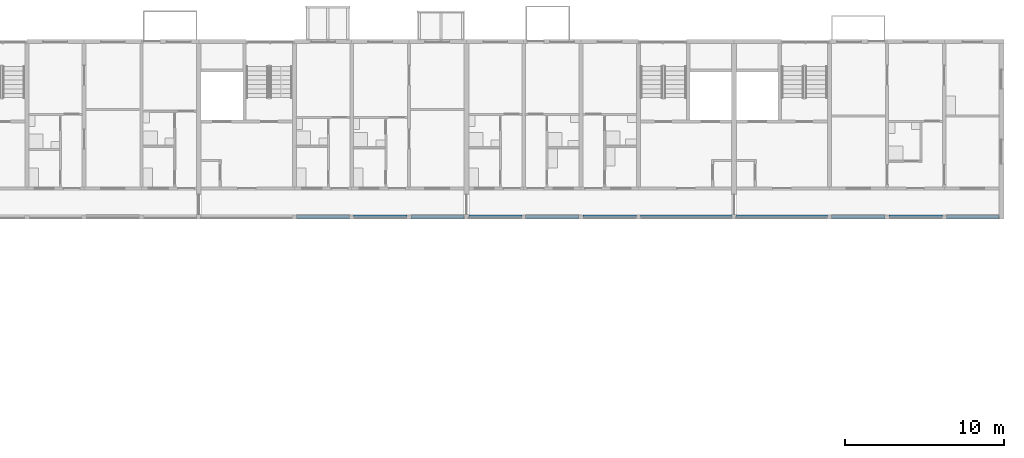
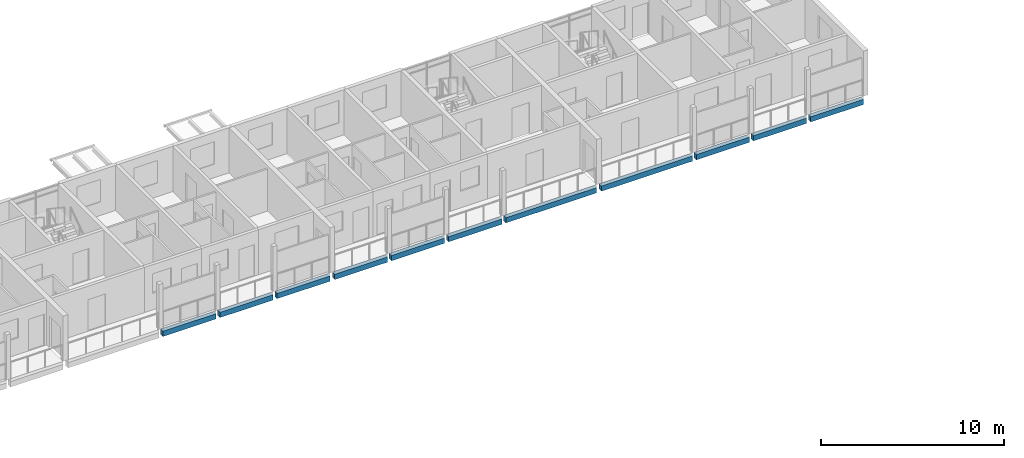
# One storey, part 20 of 100: 11 beams.
"""IFC4 building model written with IfcOpenShell, lengths in metres."""

from ifc_helpers import new_model, si_unit, direction, frame, origin, origin_2d, place, context, subcontext, project, spatial, rectangle, extrude, material, material_profile, profile_set, type_object, element, save


model = new_model("IFC4")

# Units and contexts
model_context = context("Model", 3, precision=1e-05, world=origin(), true_north=direction((0.0, 1.0)))
body_context = subcontext(model_context, "Body", "Model", "MODEL_VIEW")
ifc_project = project(units=[si_unit("LENGTHUNIT", "METRE"), si_unit("AREAUNIT", "SQUARE_METRE"), si_unit("VOLUMEUNIT", "CUBIC_METRE"), si_unit("PLANEANGLEUNIT", "RADIAN"), si_unit("MASSUNIT", "GRAM", prefix="KILO")], contexts=[model_context])

# Site, building, storey
site_placement = place(None, origin())
site = spatial("IfcSite", under=ifc_project, at=site_placement, CompositionType="ELEMENT")
building_placement = place(site_placement, origin())
building = spatial("IfcBuilding", under=site, at=building_placement, Name="Ridgestep Commons", CompositionType="ELEMENT")
storey_placement = place(building_placement, frame((0.0, 0.0, 9.0)))
storey = spatial("IfcBuildingStorey", under=building, at=storey_placement, Name="L03", CompositionType="ELEMENT", Elevation=9.0)

# Beams
ifc_material = material(Name="Precast concrete C40/50", Category="concrete")
ifc_material_profile = material_profile(ifc_material, rectangle(XDim=0.25, YDim=0.35009765625, at=origin_2d()), Name="PC 250x350")
ifc_profile_set = profile_set([ifc_material_profile], Name="Precast concrete C40/50")
beam_type = type_object("IfcBeamType", Name="Loggia edge beam 250 x 350", PredefinedType="SPANDREL", material=ifc_profile_set)
beam_1_placement = place(storey_placement, frame((203.324951171875, 66.125, -0.375), z_axis=(1.0, 0.0, 0.0), x_axis=(0.0, 1.0, 0.0)))
element("IfcBeam", 1, at=beam_1_placement, inside=storey, type_object=beam_type, Name="Loggia edge beam C4T3 L03", PredefinedType="SPANDREL", context=body_context, shape_type="SweptSolid", body=[
    extrude(rectangle(XDim=0.25, YDim=0.35009765625, at=origin_2d()), origin(), (0.0, 0.0, 1.0), 3.35009765625),
])
beam_2_placement = place(storey_placement, frame((206.925048828125, 66.125, -0.375), z_axis=(1.0, 0.0, 0.0), x_axis=(0.0, 1.0, 0.0)))
element("IfcBeam", 2, at=beam_2_placement, inside=storey, type_object=beam_type, Name="Loggia edge beam C4T2 L03", PredefinedType="SPANDREL", context=body_context, shape_type="SweptSolid", body=[
    extrude(rectangle(XDim=0.25, YDim=0.35009765625, at=origin_2d()), origin(), (0.0, 0.0, 1.0), 3.349853515625),
])
for number, where, z_axis, x_axis, name in (
    (3, (210.52490234375, 66.125, -0.375), (1.0, 0.0, 0.0), (0.0, 1.0, 0.0), "Loggia edge beam C4T1 L03"),
    (4, (214.14990234375, 66.125, -0.375), (1.0, 0.0, 0.0), (0.0, 1.0, 0.0), "Loggia edge beam C5T1 L03"),
):
    element("IfcBeam", number, at=place(storey_placement, frame(where, z_axis=z_axis, x_axis=x_axis)), inside=storey, type_object=beam_type, Name=name, PredefinedType="SPANDREL", context=body_context, shape_type="SweptSolid", body=[
        extrude(rectangle(XDim=0.25, YDim=0.35009765625, at=origin_2d()), origin(), (0.0, 0.0, 1.0), 3.3251953125),
    ])
beam_3_placement = place(storey_placement, frame((217.72509765625, 66.125, -0.375), z_axis=(1.0, 0.0, 0.0), x_axis=(0.0, 1.0, 0.0)))
element("IfcBeam", 5, at=beam_3_placement, inside=storey, type_object=beam_type, Name="Loggia edge beam C5T2 L03", PredefinedType="SPANDREL", context=body_context, shape_type="SweptSolid", body=[
    extrude(rectangle(XDim=0.25, YDim=0.35009765625, at=origin_2d()), origin(), (0.0, 0.0, 1.0), 3.349853515625),
])
beam_4_placement = place(storey_placement, frame((221.324951171875, 66.125, -0.375), z_axis=(1.0, 0.0, 0.0), x_axis=(0.0, 1.0, 0.0)))
element("IfcBeam", 6, at=beam_4_placement, inside=storey, type_object=beam_type, Name="Loggia edge beam C5T3 L03", PredefinedType="SPANDREL", context=body_context, shape_type="SweptSolid", body=[
    extrude(rectangle(XDim=0.25, YDim=0.35009765625, at=origin_2d()), origin(), (0.0, 0.0, 1.0), 3.35009765625),
])
beam_5_placement = place(storey_placement, frame((224.925048828125, 66.125, -0.375), z_axis=(1.0, 0.0, 0.0), x_axis=(0.0, 1.0, 0.0)))
element("IfcBeam", 7, at=beam_5_placement, inside=storey, type_object=beam_type, Name="Loggia edge beam C5C L03", PredefinedType="SPANDREL", context=body_context, shape_type="SweptSolid", body=[
    extrude(rectangle(XDim=0.25, YDim=0.35009765625, at=origin_2d()), origin(), (0.0, 0.0, 1.0), 5.724853515625),
])
beam_6_placement = place(storey_placement, frame((230.949951171875, 66.125, -0.375), z_axis=(1.0, 0.0, 0.0), x_axis=(0.0, 1.0, 0.0)))
element("IfcBeam", 8, at=beam_6_placement, inside=storey, type_object=beam_type, Name="Loggia edge beam C6C L03", PredefinedType="SPANDREL", context=body_context, shape_type="SweptSolid", body=[
    extrude(rectangle(XDim=0.25, YDim=0.35009765625, at=origin_2d()), origin(), (0.0, 0.0, 1.0), 5.72509765625),
])
beam_7_placement = place(storey_placement, frame((236.925048828125, 66.125, -0.375), z_axis=(1.0, 0.0, 0.0), x_axis=(0.0, 1.0, 0.0)))
element("IfcBeam", 9, at=beam_7_placement, inside=storey, type_object=beam_type, Name="Loggia edge beam C6T3 L03", PredefinedType="SPANDREL", context=body_context, shape_type="SweptSolid", body=[
    extrude(rectangle(XDim=0.25, YDim=0.35009765625, at=origin_2d()), origin(), (0.0, 0.0, 1.0), 3.349853515625),
])
beam_8_placement = place(storey_placement, frame((240.52490234375, 66.125, -0.375), z_axis=(1.0, 0.0, 0.0), x_axis=(0.0, 1.0, 0.0)))
element("IfcBeam", 10, at=beam_8_placement, inside=storey, type_object=beam_type, Name="Loggia edge beam C6T2 L03", PredefinedType="SPANDREL", context=body_context, shape_type="SweptSolid", body=[
    extrude(rectangle(XDim=0.25, YDim=0.35009765625, at=origin_2d()), origin(), (0.0, 0.0, 1.0), 3.35009765625),
])
beam_9_placement = place(storey_placement, frame((244.125, 66.125, -0.375), z_axis=(1.0, 0.0, 0.0), x_axis=(0.0, 1.0, 0.0)))
element("IfcBeam", 11, at=beam_9_placement, inside=storey, type_object=beam_type, Name="Loggia edge beam C6T1 L03", PredefinedType="SPANDREL", context=body_context, shape_type="SweptSolid", body=[
    extrude(rectangle(XDim=0.25, YDim=0.35009765625, at=origin_2d()), origin(), (0.0, 0.0, 1.0), 3.324951171875),
])

save(model, "model.ifc")
